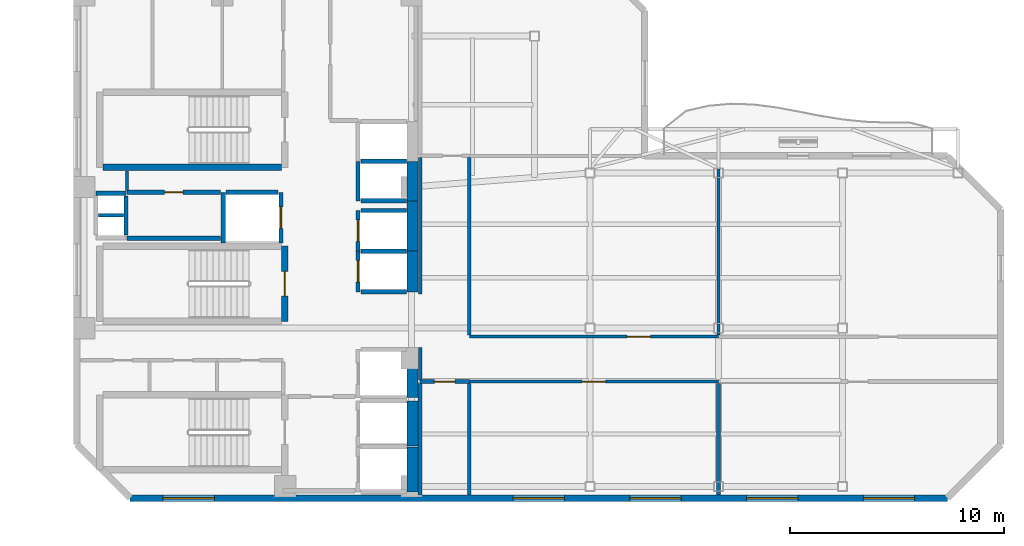
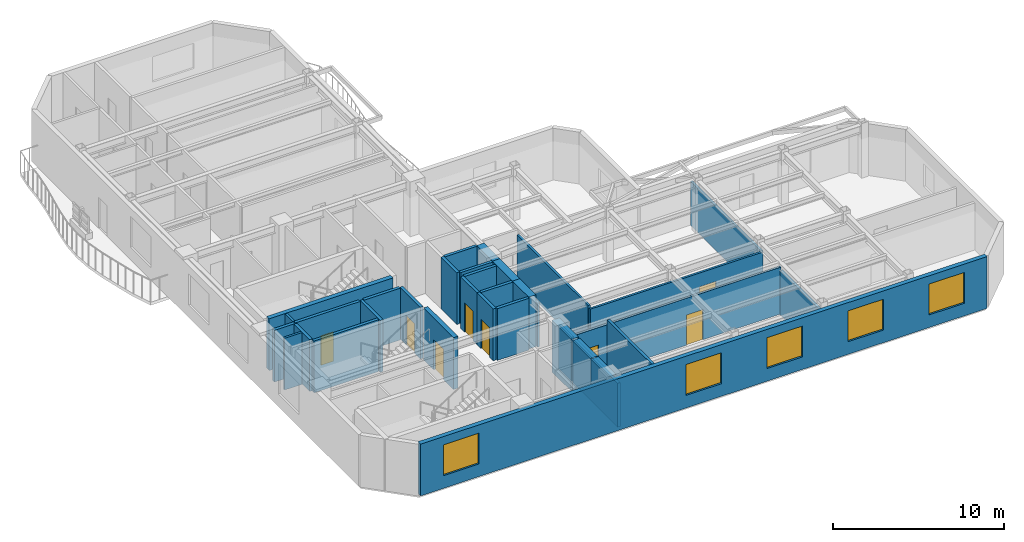
# One storey, part 3 of 8: 36 walls, 8 doors, 5 windows, 13 openings.
"""IFC4 building model written with IfcOpenShell, lengths in metres."""

from ifc_helpers import new_model, si_unit, direction, frame, frame_2d, origin, place, context, subcontext, project, spatial, rectangle, extrude, material, layer, layer_set, type_object, element, fill, save


model = new_model("IFC4")

# Units and contexts
model_context = context("Model", 3, precision=1e-05, world=origin(), true_north=direction((0.0, 1.0)))
body_context = subcontext(model_context, "Body", "Model", "MODEL_VIEW")
ifc_project = project(units=[si_unit("LENGTHUNIT", "METRE"), si_unit("AREAUNIT", "SQUARE_METRE"), si_unit("VOLUMEUNIT", "CUBIC_METRE"), si_unit("PLANEANGLEUNIT", "RADIAN"), si_unit("MASSUNIT", "GRAM", prefix="KILO")], contexts=[model_context])

# Site, building, storey
site_placement = place(None, origin())
site = spatial("IfcSite", under=ifc_project, at=site_placement, CompositionType="ELEMENT")
building_placement = place(site_placement, origin())
building = spatial("IfcBuilding", under=site, at=building_placement, Name="Mawjaban Terraces University", CompositionType="ELEMENT")
storey_placement = place(building_placement, frame((0.0, 0.0, 191.39990234375)))
storey = spatial("IfcBuildingStorey", under=building, at=storey_placement, Name="L46", CompositionType="ELEMENT", Elevation=191.39990234375)

# Wall, opening, door
ifc_material_1 = material(Name="Acoustic masonry blockwork", Category="masonry")
ifc_layer_1 = layer(ifc_material_1, 0.179931640625)
ifc_layer_set_1 = layer_set([ifc_layer_1], Name="Acoustic masonry blockwork")
wall_type_1 = type_object("IfcWallType", Name="AcousticStudioWall_180", PredefinedType="PARTITIONING", material=ifc_layer_set_1)
wall_1_placement = place(storey_placement, frame((38.050048828125, 5.449951171875, 0.0), z_axis=(0.0, 0.0, 1.0), x_axis=(1.0, 0.0, 0.0)))
wall_1 = element("IfcWall", 1, at=wall_1_placement, inside=storey, type_object=wall_type_1, Name="L46 South Spine Spur Link Partition 21", PredefinedType="PARTITIONING", context=body_context, shape_type="SweptSolid", body=[
    extrude(rectangle(XDim=2.300048828125, YDim=0.179931640625, at=frame_2d((1.14990234375, 0.0))), origin(), (0.0, 0.0, 1.0), 3.343017578125),
])
opening_1_placement = place(wall_1_placement, frame((0.675048828125, 0.0, 0.0)))
opening_1 = element("IfcOpeningElement", 2, at=opening_1_placement, cuts=wall_1, Name="Opening ID-095", PredefinedType="OPENING", context=body_context, shape_type="SweptSolid", body=[
    extrude(rectangle(XDim=0.949951171875, YDim=2.10009765625, at=frame_2d((0.47509765625, 1.050048828125))), frame((0.0, 0.099853515625, 0.0), z_axis=(0.0, -1.0, 0.0), x_axis=(1.0, 0.0, 0.0)), (0.0, 0.0, 1.0), 0.199951171875),
])
ifc_material_2 = material(Name="Powder-coated steel frame and solid acoustic timber leaf", Category="steel")
door_type_1 = type_object("IfcDoorType", Name="StudioDoor_950x2100", OperationType="NOTDEFINED", PredefinedType="DOOR", material=ifc_material_2)
door_1_placement = place(opening_1_placement, origin())
door_1 = element("IfcDoor", 3, at=door_1_placement, inside=storey, type_object=door_type_1, Name="L46 Design Studio 1 Door", OperationType="SINGLE_SWING_RIGHT", OverallHeight=2.10009765625, OverallWidth=0.949951171875, PredefinedType="DOOR", context=body_context, shape_type="SweptSolid", body=[
    extrude(rectangle(XDim=0.949951171875, YDim=2.10009765625, at=frame_2d((0.47509765625, 1.050048828125))), frame((0.0, 0.02490234375, 0.0), z_axis=(0.0, -1.0, 0.0), x_axis=(1.0, 0.0, 0.0)), (0.0, 0.0, 1.0), 0.050048828125),
])
fill(opening_1, door_1)

# Walls
wall_2_placement = place(storey_placement, frame((38.050048828125, 5.364990234375, 0.0), z_axis=(0.0, 0.0, 1.0), x_axis=(0.0, -1.0, 0.0)))
element("IfcWall", 4, at=wall_2_placement, inside=storey, type_object=wall_type_1, Name="L46 Design Studio 1 Partition 45", PredefinedType="PARTITIONING", context=body_context, shape_type="SweptSolid", body=[
    extrude(rectangle(XDim=5.219970703125, YDim=0.179931640625, at=frame_2d((2.60986328125, 0.0))), origin(), (0.0, 0.0, 1.0), 3.13916015625),
])
wall_3_placement = place(storey_placement, frame((40.35009765625, 0.14501953125, 0.0), z_axis=(0.0, 0.0, 1.0), x_axis=(0.0, 1.0, 0.0)))
element("IfcWall", 5, at=wall_3_placement, inside=storey, type_object=wall_type_1, Name="L46 Design Studio 1 Partition 49", PredefinedType="PARTITIONING", context=body_context, shape_type="SweptSolid", body=[
    extrude(rectangle(XDim=5.219970703125, YDim=0.179931640625, at=frame_2d((2.60986328125, 0.0))), origin(), (0.0, 0.0, 1.0), 3.690185546875),
])
wall_4_placement = place(storey_placement, frame((52.0, 0.14501953125, 0.0), z_axis=(0.0, 0.0, 1.0), x_axis=(0.0, 1.0, 0.0)))
element("IfcWall", 6, at=wall_4_placement, inside=storey, type_object=wall_type_1, Name="L46 Computational Laboratory 2 Partition 51", PredefinedType="PARTITIONING", context=body_context, shape_type="SweptSolid", body=[
    extrude(rectangle(XDim=5.219970703125, YDim=0.179931640625, at=frame_2d((2.60986328125, 0.0))), origin(), (0.0, 0.0, 1.0), 3.13916015625),
])
ifc_material_3 = material(Name="Concrete C60/75", Category="concrete")
ifc_layer_2 = layer(ifc_material_3, 0.5)
ifc_layer_set_2 = layer_set([ifc_layer_2], Name="Concrete C60/75")
wall_type_2 = type_object("IfcWallType", Name="CoreShearWall_500", PredefinedType="SHEAR", material=ifc_layer_set_2)
wall_5_placement = place(storey_placement, frame((37.699951171875, 0.300048828125, 0.0), z_axis=(0.0, 0.0, 1.0), x_axis=(0.0, 1.0, 0.0)))
element("IfcWall", 7, at=wall_5_placement, inside=storey, type_object=wall_type_2, Name="L46 Lift FL-1 Hoistway Wall East", PredefinedType="SHEAR", context=body_context, shape_type="SweptSolid", body=[
    extrude(rectangle(XDim=2.099853515625, YDim=0.5, at=frame_2d((1.0498046875, 0.0))), origin(), (0.0, 0.0, 1.0), 3.690185546875),
])
wall_6_placement = place(storey_placement, frame((37.699951171875, 2.449951171875, 0.0), z_axis=(0.0, 0.0, 1.0), x_axis=(0.0, 1.0, 0.0)))
element("IfcWall", 8, at=wall_6_placement, inside=storey, type_object=wall_type_2, Name="L46 Lift FL-2 Hoistway Wall East", PredefinedType="SHEAR", context=body_context, shape_type="SweptSolid", body=[
    extrude(rectangle(XDim=2.10009765625, YDim=0.5, at=frame_2d((1.050048828125, 0.0))), origin(), (0.0, 0.0, 1.0), 3.690185546875),
])
wall_7_placement = place(storey_placement, frame((37.699951171875, 4.699951171875, 0.0), z_axis=(0.0, 0.0, 1.0), x_axis=(0.0, 1.0, 0.0)))
element("IfcWall", 9, at=wall_7_placement, inside=storey, type_object=wall_type_2, Name="L46 Lift SL-1 Hoistway Wall East", PredefinedType="SHEAR", context=body_context, shape_type="SweptSolid", body=[
    extrude(rectangle(XDim=2.25, YDim=0.5, at=frame_2d((1.125, 0.0))), origin(), (0.0, 0.0, 1.0), 3.690185546875),
])
wall_8_placement = place(storey_placement, frame((37.699951171875, 9.64990234375, 0.0), z_axis=(0.0, 0.0, 1.0), x_axis=(0.0, 1.0, 0.0)))
element("IfcWall", 10, at=wall_8_placement, inside=storey, type_object=wall_type_2, Name="L46 Lift PL-H1 Hoistway Wall East", PredefinedType="SHEAR", context=body_context, shape_type="SweptSolid", body=[
    extrude(rectangle(XDim=1.900146484375, YDim=0.5, at=frame_2d((0.9501953125, 0.0))), origin(), (0.0, 0.0, 1.0), 3.690185546875),
])
wall_9_placement = place(storey_placement, frame((37.699951171875, 11.550048828125, 0.0), z_axis=(0.0, 0.0, 1.0), x_axis=(0.0, 1.0, 0.0)))
element("IfcWall", 11, at=wall_9_placement, inside=storey, type_object=wall_type_2, Name="L46 Lift PL-H2 Hoistway Wall East", PredefinedType="SHEAR", context=body_context, shape_type="SweptSolid", body=[
    extrude(rectangle(XDim=2.349853515625, YDim=0.5, at=frame_2d((1.1748046875, 0.0))), origin(), (0.0, 0.0, 1.0), 3.690185546875),
])
wall_10_placement = place(storey_placement, frame((37.699951171875, 13.89990234375, 0.0), z_axis=(0.0, 0.0, 1.0), x_axis=(0.0, 1.0, 0.0)))
element("IfcWall", 12, at=wall_10_placement, inside=storey, type_object=wall_type_2, Name="L46 Lift OL-1 Hoistway Wall East", PredefinedType="SHEAR", context=body_context, shape_type="SweptSolid", body=[
    extrude(rectangle(XDim=1.85009765625, YDim=0.5, at=frame_2d((0.925048828125, 0.0))), origin(), (0.0, 0.0, 1.0), 3.690185546875),
])
ifc_material_4 = material(Name="Fire-rated gypsum board on steel stud", Category="steel")
ifc_layer_3 = layer(ifc_material_4, 0.159912109375)
ifc_layer_set_3 = layer_set([ifc_layer_3], Name="Fire-rated gypsum board on steel stud")
wall_type_3 = type_object("IfcWallType", Name="CorridorPartition_160", PredefinedType="PARTITIONING", material=ifc_layer_set_3)
wall_11_placement = place(storey_placement, frame((24.35009765625, 15.2900390625, 0.0), z_axis=(0.0, 0.0, 1.0), x_axis=(0.0, -1.0, 0.0)))
element("IfcWall", 13, at=wall_11_placement, inside=storey, type_object=wall_type_3, Name="L46 Core Riser Access Passage Partition 28", PredefinedType="PARTITIONING", context=body_context, shape_type="SweptSolid", body=[
    extrude(rectangle(XDim=0.89501953125, YDim=0.159912109375, at=frame_2d((0.447509765625, 0.0))), origin(), (0.0, 0.0, 1.0), 3.690185546875),
])
wall_12_placement = place(storey_placement, frame((38.050048828125, 7.050048828125, 0.0), z_axis=(0.0, 0.0, 1.0), x_axis=(0.0, -1.0, 0.0)))
element("IfcWall", 14, at=wall_12_placement, inside=storey, type_object=wall_type_3, Name="L46 South Spine Spur Link Partition 46", PredefinedType="PARTITIONING", context=body_context, shape_type="SweptSolid", body=[
    extrude(rectangle(XDim=1.51513671875, YDim=0.159912109375, at=frame_2d((0.757568359375, 0.0))), origin(), (0.0, 0.0, 1.0), 3.13916015625),
])
wall_13_placement = place(storey_placement, frame((38.050048828125, 15.925048828125, 0.0), z_axis=(0.0, 0.0, 1.0), x_axis=(0.0, -1.0, 0.0)))
element("IfcWall", 15, at=wall_13_placement, inside=storey, type_object=wall_type_3, Name="L46 South Spine Spur Link Partition 47", PredefinedType="PARTITIONING", context=body_context, shape_type="SweptSolid", body=[
    extrude(rectangle(XDim=6.375, YDim=0.159912109375, at=frame_2d((3.1875, 0.0))), origin(), (0.0, 0.0, 1.0), 3.13916015625),
])

# Wall, openings, windows
ifc_material_5 = material(Name="Insulated terracotta rainscreen on concrete backup C40/50", Category="masonry")
ifc_layer_4 = layer(ifc_material_5, 0.300048828125)
ifc_layer_set_4 = layer_set([ifc_layer_4], Name="Insulated terracotta rainscreen on concrete backup C40/50")
wall_type_4 = type_object("IfcWallType", Name="ExtTerracottaWall_300", PredefinedType="SOLIDWALL", material=ifc_layer_set_4)
wall_14_placement = place(storey_placement, frame((24.5, 0.0, 0.0), z_axis=(0.0, 0.0, 1.0), x_axis=(1.0, 0.0, 0.0)))
wall_14 = element("IfcWall", 16, at=wall_14_placement, inside=storey, type_object=wall_type_4, Name="L46 Exterior Terracotta Wall 1", PredefinedType="SOLIDWALL", context=body_context, shape_type="SweptSolid", body=[
    extrude(rectangle(XDim=38.199951171875, YDim=0.300048828125, at=frame_2d((19.10009765625, 0.0))), origin(), (0.0, 0.0, 1.0), 3.690185546875),
])
opening_2_placement = place(wall_14_placement, frame((1.529052734375, 0.0, 0.89990234375)))
opening_2 = element("IfcOpeningElement", 17, at=opening_2_placement, cuts=wall_14, Name="Opening W-11", PredefinedType="OPENING", context=body_context, shape_type="SweptSolid", body=[
    extrude(rectangle(XDim=2.39990234375, YDim=2.199951171875, at=frame_2d((1.199951171875, 1.10009765625))), frame((0.0, 0.159912109375, 0.0), z_axis=(0.0, -1.0, 0.0), x_axis=(1.0, 0.0, 0.0)), (0.0, 0.0, 1.0), 0.320068359375),
])
opening_3_placement = place(wall_14_placement, frame((17.89990234375, 0.0, 0.89990234375)))
opening_3 = element("IfcOpeningElement", 18, at=opening_3_placement, cuts=wall_14, Name="Opening W-11", PredefinedType="OPENING", context=body_context, shape_type="SweptSolid", body=[
    extrude(rectangle(XDim=2.39990234375, YDim=2.199951171875, at=frame_2d((1.199951171875, 1.10009765625))), frame((0.0, 0.159912109375, 0.0), z_axis=(0.0, -1.0, 0.0), x_axis=(1.0, 0.0, 0.0)), (0.0, 0.0, 1.0), 0.320068359375),
])
opening_4_placement = place(wall_14_placement, frame((23.35693359375, 0.0, 0.89990234375)))
opening_4 = element("IfcOpeningElement", 19, at=opening_4_placement, cuts=wall_14, Name="Opening W-11", PredefinedType="OPENING", context=body_context, shape_type="SweptSolid", body=[
    extrude(rectangle(XDim=2.39990234375, YDim=2.199951171875, at=frame_2d((1.199951171875, 1.10009765625))), frame((0.0, 0.159912109375, 0.0), z_axis=(0.0, -1.0, 0.0), x_axis=(1.0, 0.0, 0.0)), (0.0, 0.0, 1.0), 0.320068359375),
])
opening_5_placement = place(wall_14_placement, frame((28.81396484375, 0.0, 0.89990234375)))
opening_5 = element("IfcOpeningElement", 20, at=opening_5_placement, cuts=wall_14, Name="Opening W-11", PredefinedType="OPENING", context=body_context, shape_type="SweptSolid", body=[
    extrude(rectangle(XDim=2.39990234375, YDim=2.199951171875, at=frame_2d((1.199951171875, 1.10009765625))), frame((0.0, 0.159912109375, 0.0), z_axis=(0.0, -1.0, 0.0), x_axis=(1.0, 0.0, 0.0)), (0.0, 0.0, 1.0), 0.320068359375),
])
opening_6_placement = place(wall_14_placement, frame((34.27099609375, 0.0, 0.89990234375)))
opening_6 = element("IfcOpeningElement", 21, at=opening_6_placement, cuts=wall_14, Name="Opening W-11", PredefinedType="OPENING", context=body_context, shape_type="SweptSolid", body=[
    extrude(rectangle(XDim=2.39990234375, YDim=2.199951171875, at=frame_2d((1.199951171875, 1.10009765625))), frame((0.0, 0.159912109375, 0.0), z_axis=(0.0, -1.0, 0.0), x_axis=(1.0, 0.0, 0.0)), (0.0, 0.0, 1.0), 0.320068359375),
])
ifc_material_6 = material(Name="Low-E solar-control double glazing in thermally broken aluminium frame", Category="aluminium")
window_type = type_object("IfcWindowType", Name="Win_2400x2200", PartitioningType="SINGLE_PANEL", PredefinedType="WINDOW", material=ifc_material_6)
window_1_placement = place(opening_2_placement, origin())
window_1 = element("IfcWindow", 22, at=window_1_placement, inside=storey, type_object=window_type, Name="L46 Facade Window 1.1", OverallHeight=2.199951171875, OverallWidth=2.39990234375, PartitioningType="SINGLE_PANEL", PredefinedType="WINDOW", context=body_context, shape_type="SweptSolid", body=[
    extrude(rectangle(XDim=2.39990234375, YDim=2.199951171875, at=frame_2d((1.199951171875, 1.10009765625))), frame((0.0, 0.030029296875, 0.0), z_axis=(0.0, -1.0, 0.0), x_axis=(1.0, 0.0, 0.0)), (0.0, 0.0, 1.0), 0.06005859375),
])
fill(opening_2, window_1)
window_2_placement = place(opening_3_placement, origin())
window_2 = element("IfcWindow", 23, at=window_2_placement, inside=storey, type_object=window_type, Name="L46 Facade Window 1.4", OverallHeight=2.199951171875, OverallWidth=2.39990234375, PartitioningType="SINGLE_PANEL", PredefinedType="WINDOW", context=body_context, shape_type="SweptSolid", body=[
    extrude(rectangle(XDim=2.39990234375, YDim=2.199951171875, at=frame_2d((1.199951171875, 1.10009765625))), frame((0.0, 0.030029296875, 0.0), z_axis=(0.0, -1.0, 0.0), x_axis=(1.0, 0.0, 0.0)), (0.0, 0.0, 1.0), 0.06005859375),
])
fill(opening_3, window_2)
window_3_placement = place(opening_4_placement, origin())
window_3 = element("IfcWindow", 24, at=window_3_placement, inside=storey, type_object=window_type, Name="L46 Facade Window 1.5", OverallHeight=2.199951171875, OverallWidth=2.39990234375, PartitioningType="SINGLE_PANEL", PredefinedType="WINDOW", context=body_context, shape_type="SweptSolid", body=[
    extrude(rectangle(XDim=2.39990234375, YDim=2.199951171875, at=frame_2d((1.199951171875, 1.10009765625))), frame((0.0, 0.030029296875, 0.0), z_axis=(0.0, -1.0, 0.0), x_axis=(1.0, 0.0, 0.0)), (0.0, 0.0, 1.0), 0.06005859375),
])
fill(opening_4, window_3)
window_4_placement = place(opening_5_placement, origin())
window_4 = element("IfcWindow", 25, at=window_4_placement, inside=storey, type_object=window_type, Name="L46 Facade Window 1.6", OverallHeight=2.199951171875, OverallWidth=2.39990234375, PartitioningType="SINGLE_PANEL", PredefinedType="WINDOW", context=body_context, shape_type="SweptSolid", body=[
    extrude(rectangle(XDim=2.39990234375, YDim=2.199951171875, at=frame_2d((1.199951171875, 1.10009765625))), frame((0.0, 0.030029296875, 0.0), z_axis=(0.0, -1.0, 0.0), x_axis=(1.0, 0.0, 0.0)), (0.0, 0.0, 1.0), 0.06005859375),
])
fill(opening_5, window_4)
window_5_placement = place(opening_6_placement, origin())
window_5 = element("IfcWindow", 26, at=window_5_placement, inside=storey, type_object=window_type, Name="L46 Facade Window 1.7", OverallHeight=2.199951171875, OverallWidth=2.39990234375, PartitioningType="SINGLE_PANEL", PredefinedType="WINDOW", context=body_context, shape_type="SweptSolid", body=[
    extrude(rectangle(XDim=2.39990234375, YDim=2.199951171875, at=frame_2d((1.199951171875, 1.10009765625))), frame((0.0, 0.030029296875, 0.0), z_axis=(0.0, -1.0, 0.0), x_axis=(1.0, 0.0, 0.0)), (0.0, 0.0, 1.0), 0.06005859375),
])
fill(opening_6, window_5)

# Wall, opening, door
ifc_material_7 = material(Name="Concrete C40/50", Category="concrete")
ifc_layer_5 = layer(ifc_material_7, 0.199951171875)
ifc_layer_set_5 = layer_set([ifc_layer_5], Name="Concrete C40/50")
wall_type_5 = type_object("IfcWallType", Name="FireLobbyWall_200", PredefinedType="SOLIDWALL", material=ifc_layer_set_5)
wall_15_placement = place(storey_placement, frame((35.14990234375, 11.550048828125, 0.0), z_axis=(0.0, 0.0, 1.0), x_axis=(0.0, -1.0, 0.0)))
wall_15 = element("IfcWall", 27, at=wall_15_placement, inside=storey, type_object=wall_type_5, Name="L46 Lift PL-H1 Hoistway Wall West", PredefinedType="SOLIDWALL", context=body_context, shape_type="SweptSolid", body=[
    extrude(rectangle(XDim=1.900146484375, YDim=0.199951171875, at=frame_2d((0.9501953125, 0.0))), origin(), (0.0, 0.0, 1.0), 3.690185546875),
])
opening_7_placement = place(wall_15_placement, frame((0.449951171875, 0.0, 0.0)))
opening_7 = element("IfcOpeningElement", 28, at=opening_7_placement, cuts=wall_15, Name="Opening LD-PL-H1", PredefinedType="OPENING", context=body_context, shape_type="SweptSolid", body=[
    extrude(rectangle(XDim=1.0, YDim=2.10009765625, at=frame_2d((0.5, 1.050048828125))), frame((0.0, 0.10986328125, 0.0), z_axis=(0.0, -1.0, 0.0), x_axis=(1.0, 0.0, 0.0)), (0.0, 0.0, 1.0), 0.219970703125),
])
ifc_material_8 = material(Name="Powder-coated steel frame and fire-rated steel-faced leaf", Category="steel")
door_type_2 = type_object("IfcDoorType", Name="LiftLandingSliding_1000x2100", OperationType="NOTDEFINED", PredefinedType="DOOR", material=ifc_material_8)
door_2_placement = place(opening_7_placement, origin())
door_2 = element("IfcDoor", 29, at=door_2_placement, inside=storey, type_object=door_type_2, Name="L46 Lift PL-H1 Sliding Landing Door", OperationType="DOUBLE_DOOR_SLIDING", OverallHeight=2.10009765625, OverallWidth=1.0, PredefinedType="DOOR", context=body_context, shape_type="SweptSolid", body=[
    extrude(rectangle(XDim=1.0, YDim=2.10009765625, at=frame_2d((0.5, 1.050048828125))), frame((0.0, 0.02490234375, 0.0), z_axis=(0.0, -1.0, 0.0), x_axis=(1.0, 0.0, 0.0)), (0.0, 0.0, 1.0), 0.050048828125),
])
fill(opening_7, door_2)

# Walls
for number, where, z_axis, x_axis, name in (
    (30, (35.280029296875, 9.64990234375, 0.0), (0.0, 0.0, 1.0), (1.0, 0.0, 0.0), "L46 Lift PL-H1 Hoistway Wall South"),
    (31, (37.419921875, 11.550048828125, 0.0), (0.0, 0.0, 1.0), (-1.0, 0.0, 0.0), "L46 Lift PL-H1 Hoistway Wall North"),
):
    element("IfcWall", number, at=place(storey_placement, frame(where, z_axis=z_axis, x_axis=x_axis)), inside=storey, type_object=wall_type_5, Name=name, PredefinedType="SOLIDWALL", context=body_context, shape_type="SweptSolid", body=[
        extrude(rectangle(XDim=2.139892578125, YDim=0.199951171875, at=frame_2d((1.06982421875, 0.0))), origin(), (0.0, 0.0, 1.0), 3.690185546875),
    ])

# Wall, opening, door
wall_16_placement = place(storey_placement, frame((35.14990234375, 13.449951171875, 0.0), z_axis=(0.0, 0.0, 1.0), x_axis=(0.0, -1.0, 0.0)))
wall_16 = element("IfcWall", 32, at=wall_16_placement, inside=storey, type_object=wall_type_5, Name="L46 Lift PL-H2 Hoistway Wall West", PredefinedType="SOLIDWALL", context=body_context, shape_type="SweptSolid", body=[
    extrude(rectangle(XDim=1.89990234375, YDim=0.199951171875, at=frame_2d((0.949951171875, 0.0))), origin(), (0.0, 0.0, 1.0), 3.690185546875),
])
opening_8_placement = place(wall_16_placement, frame((0.449951171875, 0.0, 0.0)))
opening_8 = element("IfcOpeningElement", 33, at=opening_8_placement, cuts=wall_16, Name="Opening LD-PL-H2", PredefinedType="OPENING", context=body_context, shape_type="SweptSolid", body=[
    extrude(rectangle(XDim=1.0, YDim=2.10009765625, at=frame_2d((0.5, 1.050048828125))), frame((0.0, 0.10986328125, 0.0), z_axis=(0.0, -1.0, 0.0), x_axis=(1.0, 0.0, 0.0)), (0.0, 0.0, 1.0), 0.219970703125),
])
door_3_placement = place(opening_8_placement, origin())
door_3 = element("IfcDoor", 34, at=door_3_placement, inside=storey, type_object=door_type_2, Name="L46 Lift PL-H2 Sliding Landing Door", OperationType="DOUBLE_DOOR_SLIDING", OverallHeight=2.10009765625, OverallWidth=1.0, PredefinedType="DOOR", context=body_context, shape_type="SweptSolid", body=[
    extrude(rectangle(XDim=1.0, YDim=2.10009765625, at=frame_2d((0.5, 1.050048828125))), frame((0.0, 0.02490234375, 0.0), z_axis=(0.0, -1.0, 0.0), x_axis=(1.0, 0.0, 0.0)), (0.0, 0.0, 1.0), 0.050048828125),
])
fill(opening_8, door_3)

# Walls
wall_17_placement = place(storey_placement, frame((37.419921875, 13.449951171875, 0.0), z_axis=(0.0, 0.0, 1.0), x_axis=(-1.0, 0.0, 0.0)))
element("IfcWall", 35, at=wall_17_placement, inside=storey, type_object=wall_type_5, Name="L46 Lift PL-H2 Hoistway Wall North", PredefinedType="SOLIDWALL", context=body_context, shape_type="SweptSolid", body=[
    extrude(rectangle(XDim=2.139892578125, YDim=0.199951171875, at=frame_2d((1.06982421875, 0.0))), origin(), (0.0, 0.0, 1.0), 3.690185546875),
])
wall_18_placement = place(storey_placement, frame((28.85009765625, 14.300048828125, 0.0), z_axis=(0.0, 0.0, 1.0), x_axis=(0.0, -1.0, 0.0)))
element("IfcWall", 36, at=wall_18_placement, inside=storey, type_object=wall_type_5, Name="L46 Lift PL-H3 Hoistway Wall West", PredefinedType="SOLIDWALL", context=body_context, shape_type="SweptSolid", body=[
    extrude(rectangle(XDim=2.3701171875, YDim=0.199951171875, at=frame_2d((1.18505859375, 0.0))), origin(), (0.0, 0.0, 1.0), 3.690185546875),
])

# Wall, opening, door
wall_19_placement = place(storey_placement, frame((31.550048828125, 11.929931640625, 0.0), z_axis=(0.0, 0.0, 1.0), x_axis=(0.0, 1.0, 0.0)))
wall_19 = element("IfcWall", 37, at=wall_19_placement, inside=storey, type_object=wall_type_5, Name="L46 Lift PL-H3 Hoistway Wall East", PredefinedType="SOLIDWALL", context=body_context, shape_type="SweptSolid", body=[
    extrude(rectangle(XDim=2.3701171875, YDim=0.199951171875, at=frame_2d((1.18505859375, 0.0))), origin(), (0.0, 0.0, 1.0), 3.690185546875),
])
opening_9_placement = place(wall_19_placement, frame((0.68505859375, 0.0, 0.0)))
opening_9 = element("IfcOpeningElement", 38, at=opening_9_placement, cuts=wall_19, Name="Opening LD-PL-H3", PredefinedType="OPENING", context=body_context, shape_type="SweptSolid", body=[
    extrude(rectangle(XDim=1.0, YDim=2.10009765625, at=frame_2d((0.5, 1.050048828125))), frame((0.0, 0.10986328125, 0.0), z_axis=(0.0, -1.0, 0.0), x_axis=(1.0, 0.0, 0.0)), (0.0, 0.0, 1.0), 0.219970703125),
])
door_4_placement = place(opening_9_placement, origin())
door_4 = element("IfcDoor", 39, at=door_4_placement, inside=storey, type_object=door_type_2, Name="L46 Lift PL-H3 Sliding Landing Door", OperationType="DOUBLE_DOOR_SLIDING", OverallHeight=2.10009765625, OverallWidth=1.0, PredefinedType="DOOR", context=body_context, shape_type="SweptSolid", body=[
    extrude(rectangle(XDim=1.0, YDim=2.10009765625, at=frame_2d((0.5, 1.050048828125))), frame((0.0, 0.02490234375, 0.0), z_axis=(0.0, -1.0, 0.0), x_axis=(1.0, 0.0, 0.0)), (0.0, 0.0, 1.0), 0.050048828125),
])
fill(opening_9, door_4)

# Walls
wall_20_placement = place(storey_placement, frame((31.419921875, 14.300048828125, 0.0), z_axis=(0.0, 0.0, 1.0), x_axis=(-1.0, 0.0, 0.0)))
element("IfcWall", 40, at=wall_20_placement, inside=storey, type_object=wall_type_5, Name="L46 Lift PL-H3 Hoistway Wall North", PredefinedType="SOLIDWALL", context=body_context, shape_type="SweptSolid", body=[
    extrude(rectangle(XDim=2.43994140625, YDim=0.199951171875, at=frame_2d((1.219970703125, 0.0))), origin(), (0.0, 0.0, 1.0), 3.690185546875),
])
wall_21_placement = place(storey_placement, frame((35.14990234375, 15.75, 0.0), z_axis=(0.0, 0.0, 1.0), x_axis=(0.0, -1.0, 0.0)))
element("IfcWall", 41, at=wall_21_placement, inside=storey, type_object=wall_type_5, Name="L46 Lift OL-1 Hoistway Wall West", PredefinedType="SOLIDWALL", context=body_context, shape_type="SweptSolid", body=[
    extrude(rectangle(XDim=1.85009765625, YDim=0.199951171875, at=frame_2d((0.925048828125, 0.0))), origin(), (0.0, 0.0, 1.0), 3.690185546875),
])
for number, where, z_axis, x_axis, name in (
    (42, (35.280029296875, 13.89990234375, 0.0), (0.0, 0.0, 1.0), (1.0, 0.0, 0.0), "L46 Lift OL-1 Hoistway Wall South"),
    (43, (37.419921875, 15.75, 0.0), (0.0, 0.0, 1.0), (-1.0, 0.0, 0.0), "L46 Lift OL-1 Hoistway Wall North"),
):
    element("IfcWall", number, at=place(storey_placement, frame(where, z_axis=z_axis, x_axis=x_axis)), inside=storey, type_object=wall_type_5, Name=name, PredefinedType="SOLIDWALL", context=body_context, shape_type="SweptSolid", body=[
        extrude(rectangle(XDim=2.139892578125, YDim=0.199951171875, at=frame_2d((1.06982421875, 0.0))), origin(), (0.0, 0.0, 1.0), 3.690185546875),
    ])
wall_22_placement = place(storey_placement, frame((22.89990234375, 14.25, 0.0), z_axis=(0.0, 0.0, 1.0), x_axis=(1.0, 0.0, 0.0)))
element("IfcWall", 44, at=wall_22_placement, inside=storey, type_object=wall_type_5, Name="L46 MEP Riser Shaft Wall N", PredefinedType="SOLIDWALL", context=body_context, shape_type="SweptSolid", body=[
    extrude(rectangle(XDim=1.400146484375, YDim=0.199951171875, at=frame_2d((0.7001953125, 0.0))), origin(), (0.0, 0.0, 1.0), 3.690185546875),
])
wall_23_placement = place(storey_placement, frame((24.300048828125, 12.300048828125, 0.0), z_axis=(0.0, 0.0, 1.0), x_axis=(0.0, 1.0, 0.0)))
element("IfcWall", 45, at=wall_23_placement, inside=storey, type_object=wall_type_5, Name="L46 MEP Riser Shaft Wall E", PredefinedType="SOLIDWALL", context=body_context, shape_type="SweptSolid", body=[
    extrude(rectangle(XDim=1.829833984375, YDim=0.199951171875, at=frame_2d((0.9150390625, 0.0))), origin(), (0.0, 0.0, 1.0), 3.690185546875),
])
wall_24_placement = place(storey_placement, frame((24.35009765625, 12.14990234375, 0.0), z_axis=(0.0, 0.0, 1.0), x_axis=(1.0, 0.0, 0.0)))
element("IfcWall", 46, at=wall_24_placement, inside=storey, type_object=wall_type_5, Name="L46 IT and Telecoms Riser Room Partition 2", PredefinedType="SOLIDWALL", context=body_context, shape_type="SweptSolid", body=[
    extrude(rectangle(XDim=4.369873046875, YDim=0.199951171875, at=frame_2d((2.18505859375, 0.0))), origin(), (0.0, 0.0, 1.0), 3.690185546875),
])

# Wall, opening, door
wall_25_placement = place(storey_placement, frame((24.35009765625, 14.300048828125, 0.0), z_axis=(0.0, 0.0, 1.0), x_axis=(1.0, 0.0, 0.0)))
wall_25 = element("IfcWall", 47, at=wall_25_placement, inside=storey, type_object=wall_type_5, Name="L46 Core Riser Access Passage Partition 3", PredefinedType="SOLIDWALL", context=body_context, shape_type="SweptSolid", body=[
    extrude(rectangle(XDim=4.369873046875, YDim=0.199951171875, at=frame_2d((2.18505859375, 0.0))), origin(), (0.0, 0.0, 1.0), 3.690185546875),
])
opening_10_placement = place(wall_25_placement, frame((1.760009765625, 0.0, 0.0)))
opening_10 = element("IfcOpeningElement", 48, at=opening_10_placement, cuts=wall_25, Name="Opening FD-085", PredefinedType="OPENING", context=body_context, shape_type="SweptSolid", body=[
    extrude(rectangle(XDim=0.85009765625, YDim=2.10009765625, at=frame_2d((0.425048828125, 1.050048828125))), frame((0.0, 0.10986328125, 0.0), z_axis=(0.0, -1.0, 0.0), x_axis=(1.0, 0.0, 0.0)), (0.0, 0.0, 1.0), 0.219970703125),
])
door_type_3 = type_object("IfcDoorType", Name="FireRiserDoor_850x2100", OperationType="NOTDEFINED", PredefinedType="DOOR", material=ifc_material_8)
door_5_placement = place(opening_10_placement, origin())
door_5 = element("IfcDoor", 49, at=door_5_placement, inside=storey, type_object=door_type_3, Name="L46 IT and Telecoms Riser Room Door", OperationType="SINGLE_SWING_LEFT", OverallHeight=2.10009765625, OverallWidth=0.85009765625, PredefinedType="DOOR", context=body_context, shape_type="SweptSolid", body=[
    extrude(rectangle(XDim=0.85009765625, YDim=2.10009765625, at=frame_2d((0.425048828125, 1.050048828125))), frame((0.0, 0.02490234375, 0.0), z_axis=(0.0, -1.0, 0.0), x_axis=(1.0, 0.0, 0.0)), (0.0, 0.0, 1.0), 0.050048828125),
])
fill(opening_10, door_5)

# Wall
ifc_material_9 = material(Name="Moisture-resistant gypsum board on steel stud", Category="steel")
ifc_layer_6 = layer(ifc_material_9, 0.14501953125)
ifc_layer_set_6 = layer_set([ifc_layer_6], Name="Moisture-resistant gypsum board on steel stud")
wall_type_6 = type_object("IfcWallType", Name="LabPartition_145", PredefinedType="PARTITIONING", material=ifc_layer_set_6)
wall_26_placement = place(storey_placement, frame((23.010009765625, 13.22509765625, 0.0), z_axis=(0.0, 0.0, 1.0), x_axis=(1.0, 0.0, 0.0)))
element("IfcWall", 50, at=wall_26_placement, inside=storey, type_object=wall_type_6, Name="L46 MEP Riser Shaft Wall M", PredefinedType="PARTITIONING", context=body_context, shape_type="SweptSolid", body=[
    extrude(rectangle(XDim=1.179931640625, YDim=0.14501953125, at=frame_2d((0.58984375, 0.0))), origin(), (0.0, 0.0, 1.0), 3.690185546875),
])

# Wall, opening, door
wall_27_placement = place(storey_placement, frame((40.35009765625, 5.449951171875, 0.0), z_axis=(0.0, 0.0, 1.0), x_axis=(1.0, 0.0, 0.0)))
wall_27 = element("IfcWall", 51, at=wall_27_placement, inside=storey, type_object=wall_type_6, Name="L46 South Shifted Academic Corridor Partition 22", PredefinedType="PARTITIONING", context=body_context, shape_type="SweptSolid", body=[
    extrude(rectangle(XDim=11.64990234375, YDim=0.14501953125, at=frame_2d((5.824951171875, 0.0))), origin(), (0.0, 0.0, 1.0), 3.343017578125),
])
opening_11_placement = place(wall_27_placement, frame((5.27490234375, 0.0, 0.0)))
opening_11 = element("IfcOpeningElement", 52, at=opening_11_placement, cuts=wall_27, Name="Opening ID-110", PredefinedType="OPENING", context=body_context, shape_type="SweptSolid", body=[
    extrude(rectangle(XDim=1.10009765625, YDim=2.14990234375, at=frame_2d((0.550048828125, 1.074951171875))), frame((0.0, 0.08251953125, 0.0), z_axis=(0.0, -1.0, 0.0), x_axis=(1.0, 0.0, 0.0)), (0.0, 0.0, 1.0), 0.1650390625),
])
door_type_4 = type_object("IfcDoorType", Name="LabDoor_1100x2150", OperationType="NOTDEFINED", PredefinedType="DOOR", material=ifc_material_2)
door_6_placement = place(opening_11_placement, origin())
door_6 = element("IfcDoor", 53, at=door_6_placement, inside=storey, type_object=door_type_4, Name="L46 Computational Laboratory 2 Door", OperationType="SINGLE_SWING_LEFT", OverallHeight=2.14990234375, OverallWidth=1.10009765625, PredefinedType="DOOR", context=body_context, shape_type="SweptSolid", body=[
    extrude(rectangle(XDim=1.10009765625, YDim=2.14990234375, at=frame_2d((0.550048828125, 1.074951171875))), frame((0.0, 0.02490234375, 0.0), z_axis=(0.0, -1.0, 0.0), x_axis=(1.0, 0.0, 0.0)), (0.0, 0.0, 1.0), 0.050048828125),
])
fill(opening_11, door_6)

wall_28_placement = place(storey_placement, frame((52.0, 7.550048828125, 0.0), z_axis=(0.0, 0.0, 1.0), x_axis=(-1.0, 0.0, 0.0)))
wall_28 = element("IfcWall", 54, at=wall_28_placement, inside=storey, type_object=wall_type_6, Name="L46 South Shifted Academic Corridor Partition 26", PredefinedType="PARTITIONING", context=body_context, shape_type="SweptSolid", body=[
    extrude(rectangle(XDim=11.64990234375, YDim=0.14501953125, at=frame_2d((5.824951171875, 0.0))), origin(), (0.0, 0.0, 1.0), 3.13916015625),
])
opening_12_placement = place(wall_28_placement, frame((3.175048828125, 0.0, 0.0)))
opening_12 = element("IfcOpeningElement", 55, at=opening_12_placement, cuts=wall_28, Name="Opening ID-110", PredefinedType="OPENING", context=body_context, shape_type="SweptSolid", body=[
    extrude(rectangle(XDim=1.10009765625, YDim=2.14990234375, at=frame_2d((0.550048828125, 1.074951171875))), frame((0.0, 0.08251953125, 0.0), z_axis=(0.0, -1.0, 0.0), x_axis=(1.0, 0.0, 0.0)), (0.0, 0.0, 1.0), 0.1650390625),
])
door_7_placement = place(opening_12_placement, origin())
door_7 = element("IfcDoor", 56, at=door_7_placement, inside=storey, type_object=door_type_4, Name="L46 Teaching Laboratory 3 Door", OperationType="SINGLE_SWING_RIGHT", OverallHeight=2.14990234375, OverallWidth=1.10009765625, PredefinedType="DOOR", context=body_context, shape_type="SweptSolid", body=[
    extrude(rectangle(XDim=1.10009765625, YDim=2.14990234375, at=frame_2d((0.550048828125, 1.074951171875))), frame((0.0, 0.02490234375, 0.0), z_axis=(0.0, -1.0, 0.0), x_axis=(1.0, 0.0, 0.0)), (0.0, 0.0, 1.0), 0.050048828125),
])
fill(opening_12, door_7)

# Walls
wall_29_placement = place(storey_placement, frame((40.35009765625, 7.616943359375, 0.0), z_axis=(0.0, 0.0, 1.0), x_axis=(0.0, 1.0, 0.0)))
element("IfcWall", 57, at=wall_29_placement, inside=storey, type_object=wall_type_6, Name="L46 South Spine Spur Link Partition 50", PredefinedType="PARTITIONING", context=body_context, shape_type="SweptSolid", body=[
    extrude(rectangle(XDim=8.30810546875, YDim=0.14501953125, at=frame_2d((4.154052734375, 0.0))), origin(), (0.0, 0.0, 1.0), 3.343017578125),
])
wall_30_placement = place(storey_placement, frame((52.0, 7.625, 0.0), z_axis=(0.0, 0.0, 1.0), x_axis=(0.0, 1.0, 0.0)))
element("IfcWall", 58, at=wall_30_placement, inside=storey, type_object=wall_type_6, Name="L46 Teaching Laboratory 3 Partition 52", PredefinedType="PARTITIONING", context=body_context, shape_type="SweptSolid", body=[
    extrude(rectangle(XDim=8.22998046875, YDim=0.14501953125, at=frame_2d((4.114990234375, 0.0))), origin(), (0.0, 0.0, 1.0), 3.13916015625),
])
ifc_layer_7 = layer(ifc_material_3, 0.300048828125)
ifc_layer_set_7 = layer_set([ifc_layer_7], Name="Concrete C60/75")
wall_type_7 = type_object("IfcWallType", Name="StairShaftWall_300", PredefinedType="SHEAR", material=ifc_layer_set_7)
wall_31_placement = place(storey_placement, frame((23.219970703125, 15.469970703125, 0.0), z_axis=(0.0, 0.0, 1.0), x_axis=(1.0, 0.0, 0.0)))
element("IfcWall", 59, at=wall_31_placement, inside=storey, type_object=wall_type_7, Name="L46 ST-2 Stair Shaft Wall 3", PredefinedType="SHEAR", context=body_context, shape_type="SweptSolid", body=[
    extrude(rectangle(XDim=8.360107421875, YDim=0.300048828125, at=frame_2d((4.18017578125, 0.0))), origin(), (0.0, 0.0, 1.0), 3.690185546875),
])

# Wall, opening, door
wall_32_placement = place(storey_placement, frame((31.72998046875, 8.27001953125, 0.0), z_axis=(0.0, 0.0, 1.0), x_axis=(0.0, 1.0, 0.0)))
wall_32 = element("IfcWall", 60, at=wall_32_placement, inside=storey, type_object=wall_type_7, Name="L46 ST-3 Stair Shaft Wall 4", PredefinedType="SHEAR", context=body_context, shape_type="SweptSolid", body=[
    extrude(rectangle(XDim=3.510009765625, YDim=0.300048828125, at=frame_2d((1.7548828125, 0.0))), origin(), (0.0, 0.0, 1.0), 3.690185546875),
])
opening_13_placement = place(wall_32_placement, frame((1.179931640625, 0.0, 0.0)))
opening_13 = element("IfcOpeningElement", 61, at=opening_13_placement, cuts=wall_32, Name="Opening FD-115", PredefinedType="OPENING", context=body_context, shape_type="SweptSolid", body=[
    extrude(rectangle(XDim=1.14990234375, YDim=2.14990234375, at=frame_2d((0.574951171875, 1.074951171875))), frame((0.0, 0.159912109375, 0.0), z_axis=(0.0, -1.0, 0.0), x_axis=(1.0, 0.0, 0.0)), (0.0, 0.0, 1.0), 0.320068359375),
])
door_type_5 = type_object("IfcDoorType", Name="FireStairDoor_1150x2150", OperationType="NOTDEFINED", PredefinedType="DOOR", material=ifc_material_8)
door_8_placement = place(opening_13_placement, origin())
door_8 = element("IfcDoor", 62, at=door_8_placement, inside=storey, type_object=door_type_5, Name="L46 ST-3 Pressurised Stair Fire Door", OperationType="SINGLE_SWING_RIGHT", OverallHeight=2.14990234375, OverallWidth=1.14990234375, PredefinedType="DOOR", context=body_context, shape_type="SweptSolid", body=[
    extrude(rectangle(XDim=1.14990234375, YDim=2.14990234375, at=frame_2d((0.574951171875, 1.074951171875))), frame((0.0, 0.02490234375, 0.0), z_axis=(0.0, -1.0, 0.0), x_axis=(1.0, 0.0, 0.0)), (0.0, 0.0, 1.0), 0.050048828125),
])
fill(opening_13, door_8)

save(model, "model.ifc")
